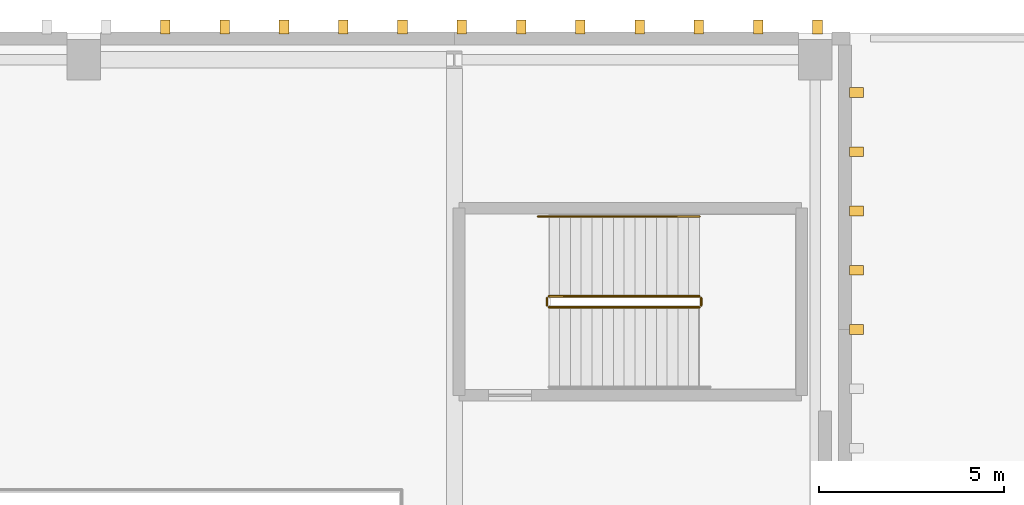
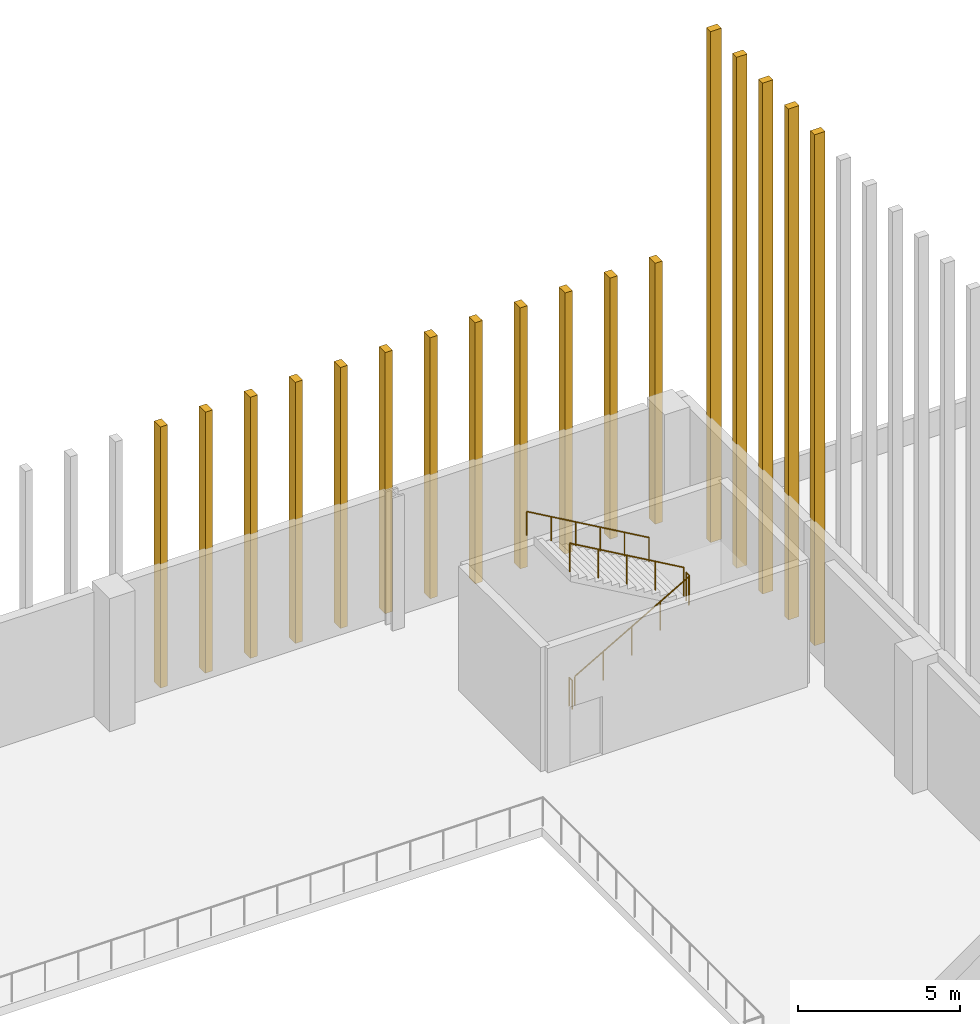
# One storey, part 58 of 60: 17 coverings, 5 railings.
"""IFC4 building model written with IfcOpenShell, lengths in metres."""

from ifc_helpers import new_model, si_unit, direction, frame, origin, origin_2d, place, context, subcontext, project, spatial, rectangle, circle, extrude, material, layer, layer_set, type_object, element, save


model = new_model("IFC4")

# Units and contexts
model_context = context("Model", 3, precision=1e-05, world=origin(), true_north=direction((0.0, 1.0)))
body_context = subcontext(model_context, "Body", "Model", "MODEL_VIEW")
ifc_project = project(units=[si_unit("LENGTHUNIT", "METRE"), si_unit("AREAUNIT", "SQUARE_METRE"), si_unit("VOLUMEUNIT", "CUBIC_METRE"), si_unit("PLANEANGLEUNIT", "RADIAN"), si_unit("MASSUNIT", "GRAM", prefix="KILO")], contexts=[model_context])

# Site, building, storey
site_placement = place(None, origin())
site = spatial("IfcSite", under=ifc_project, at=site_placement, CompositionType="ELEMENT")
building_placement = place(site_placement, origin())
building = spatial("IfcBuilding", under=site, at=building_placement, Name="Trimount Lyric Opera House", CompositionType="ELEMENT")
storey_placement = place(building_placement, frame((0.0, 0.0, 15.0)))
storey = spatial("IfcBuildingStorey", under=building, at=storey_placement, Name="L03", CompositionType="ELEMENT", Elevation=15.0)

# Coverings
ifc_material_1 = material(Name="Extruded Brushed Aluminium Vertical Shed Rib", Category="aluminium")
ifc_layer = layer(ifc_material_1, 0.260009765625)
ifc_layer_set = layer_set([ifc_layer], Name="CLD-RIB1")
covering_type = type_object("IfcCoveringType", Name="CLD-RIB1", PredefinedType="CLADDING", material=ifc_layer_set)
for number, where, z_axis, x_axis, name in (
    (1, (114.85009765625, 110.0, 0.0), (0.0, 0.0, 1.0), (1.0, 0.0, 0.0), "Fly-tower E lower vertical rib 111"),
    (2, (114.85009765625, 111.60009765625, 0.0), (0.0, 0.0, 1.0), (1.0, 0.0, 0.0), "Fly-tower E lower vertical rib 113"),
    (3, (114.85009765625, 113.199951171875, 0.0), (0.0, 0.0, 1.0), (1.0, 0.0, 0.0), "Fly-tower E lower vertical rib 115"),
    (4, (114.85009765625, 114.800048828125, 0.0), (0.0, 0.0, 1.0), (1.0, 0.0, 0.0), "Fly-tower E lower vertical rib 117"),
    (5, (114.85009765625, 116.39990234375, 0.0), (0.0, 0.0, 1.0), (1.0, 0.0, 0.0), "Fly-tower E lower vertical rib 119"),
):
    element("IfcCovering", number, at=place(storey_placement, frame(where, z_axis=z_axis, x_axis=x_axis)), inside=storey, type_object=covering_type, Name=name, PredefinedType="CLADDING", context=body_context, shape_type="SweptSolid", body=[
        extrude(rectangle(XDim=0.3798828125, YDim=0.260009765625, at=origin_2d()), origin(), (0.0, 0.0, 1.0), 19.219970703125),
    ])
for number, where, z_axis, x_axis, name in (
    (6, (96.199951171875, 118.1650390625, 0.0), (0.0, 0.0, 1.0), (1.0, 0.0, 0.0), "Fly-tower north vertical cladding rib 224"),
    (7, (97.800048828125, 118.1650390625, 0.0), (0.0, 0.0, 1.0), (1.0, 0.0, 0.0), "Fly-tower north vertical cladding rib 229"),
    (8, (99.39990234375, 118.1650390625, 0.0), (0.0, 0.0, 1.0), (1.0, 0.0, 0.0), "Fly-tower north vertical cladding rib 234"),
    (9, (101.0, 118.1650390625, 0.0), (0.0, 0.0, 1.0), (1.0, 0.0, 0.0), "Fly-tower north vertical cladding rib 239"),
    (10, (102.60009765625, 118.1650390625, 0.0), (0.0, 0.0, 1.0), (1.0, 0.0, 0.0), "Fly-tower north vertical cladding rib 244"),
    (11, (104.199951171875, 118.1650390625, 0.0), (0.0, 0.0, 1.0), (1.0, 0.0, 0.0), "Fly-tower north vertical cladding rib 249"),
    (12, (105.800048828125, 118.1650390625, 0.0), (0.0, 0.0, 1.0), (1.0, 0.0, 0.0), "Fly-tower north vertical cladding rib 254"),
    (13, (107.39990234375, 118.1650390625, 0.0), (0.0, 0.0, 1.0), (1.0, 0.0, 0.0), "Fly-tower north vertical cladding rib 259"),
    (14, (109.0, 118.1650390625, 0.0), (0.0, 0.0, 1.0), (1.0, 0.0, 0.0), "Fly-tower north vertical cladding rib 264"),
    (15, (110.60009765625, 118.1650390625, 0.0), (0.0, 0.0, 1.0), (1.0, 0.0, 0.0), "Fly-tower north vertical cladding rib 269"),
    (16, (112.199951171875, 118.1650390625, 0.0), (0.0, 0.0, 1.0), (1.0, 0.0, 0.0), "Fly-tower north vertical cladding rib 274"),
    (17, (113.800048828125, 118.1650390625, 0.0), (0.0, 0.0, 1.0), (1.0, 0.0, 0.0), "Fly-tower north vertical cladding rib 279"),
):
    element("IfcCovering", number, at=place(storey_placement, frame(where, z_axis=z_axis, x_axis=x_axis)), inside=storey, type_object=covering_type, Name=name, PredefinedType="CLADDING", context=body_context, shape_type="SweptSolid", body=[
        extrude(rectangle(XDim=0.260009765625, YDim=0.3798828125, at=origin_2d()), origin(), (0.0, 0.0, 1.0), 9.820068359375),
    ])

# Railings
ifc_material_2 = material(Name="Brushed Stainless Steel 316", Category="steel")
railing_type_1 = type_object("IfcRailingType", Name="RL-GRD110", PredefinedType="GUARDRAIL", material=ifc_material_2)
railing_1_placement = place(storey_placement, frame((106.550048828125, 110.60009765625, 0.166748046875)))
element("IfcRailing", 18, at=railing_1_placement, inside=storey, type_object=railing_type_1, Name="L03 ST-02 stair guard 1", PredefinedType="GUARDRAIL", context=body_context, shape_type="SweptSolid", body=[
    extrude(circle(Radius=0.02392578125, at=origin_2d()), frame((0.0, 0.0, 1.076171875), z_axis=(0.867024558463, 0.0, 0.498265406207), x_axis=(0.0, 1.0, 0.0)), (0.0, 0.0, 1.0), 4.682861328125),
    extrude(circle(Radius=0.02099609375, at=origin_2d()), origin(), (0.0, 0.0, 1.0), 1.052001953125),
    extrude(circle(Radius=0.02099609375, at=origin_2d()), frame((1.01513671875, 0.0, 0.583251953125)), (0.0, 0.0, 1.0), 1.052001953125),
    extrude(circle(Radius=0.02099609375, at=origin_2d()), frame((2.030029296875, 0.0, 1.16650390625)), (0.0, 0.0, 1.0), 1.052001953125),
    extrude(circle(Radius=0.02099609375, at=origin_2d()), frame((3.044921875, 0.0, 1.75)), (0.0, 0.0, 1.0), 1.052001953125),
    extrude(circle(Radius=0.02099609375, at=origin_2d()), frame((4.06005859375, 0.0, 2.333251953125)), (0.0, 0.0, 1.0), 1.052001953125),
])
railing_2_placement = place(storey_placement, frame((110.659912109375, 110.64990234375, 2.5)))
element("IfcRailing", 19, at=railing_2_placement, inside=storey, type_object=railing_type_1, Name="L03 ST-02 stair guard 2", PredefinedType="GUARDRAIL", context=body_context, shape_type="SweptSolid", body=[
    extrude(circle(Radius=0.02392578125, at=origin_2d()), frame((0.0, 0.0, 1.076171875), z_axis=(0.0, 1.0, 0.0), x_axis=(-1.0, 0.0, 0.0)), (0.0, 0.0, 1.0), 0.2001953125),
    extrude(circle(Radius=0.02099609375, at=origin_2d()), origin(), (0.0, 0.0, 1.0), 1.052001953125),
    extrude(circle(Radius=0.02099609375, at=origin_2d()), frame((0.0, 0.2001953125, 0.0)), (0.0, 0.0, 1.0), 1.052001953125),
])
railing_3_placement = place(storey_placement, frame((110.610107421875, 110.89990234375, 2.666748046875)))
element("IfcRailing", 20, at=railing_3_placement, inside=storey, type_object=railing_type_1, Name="L03 ST-02 stair guard 3", PredefinedType="GUARDRAIL", context=body_context, shape_type="SweptSolid", body=[
    extrude(circle(Radius=0.02392578125, at=origin_2d()), frame((0.0, 0.0, 1.076171875), z_axis=(-0.867024558463, 0.0, 0.498265406207), x_axis=(0.0, -1.0, 0.0)), (0.0, 0.0, 1.0), 4.682861328125),
    extrude(circle(Radius=0.02099609375, at=origin_2d()), origin(), (0.0, 0.0, 1.0), 1.052001953125),
    extrude(circle(Radius=0.02099609375, at=origin_2d()), frame((-1.01513671875, 0.0, 0.583251953125)), (0.0, 0.0, 1.0), 1.052001953125),
    extrude(circle(Radius=0.02099609375, at=origin_2d()), frame((-2.030029296875, 0.0, 1.16650390625)), (0.0, 0.0, 1.0), 1.052001953125),
    extrude(circle(Radius=0.02099609375, at=origin_2d()), frame((-3.044921875, 0.0, 1.75)), (0.0, 0.0, 1.0), 1.052001953125),
    extrude(circle(Radius=0.02099609375, at=origin_2d()), frame((-4.06005859375, 0.0, 2.333251953125)), (0.0, 0.0, 1.0), 1.052001953125),
])
railing_4_placement = place(storey_placement, frame((106.5, 110.64990234375, 0.0)))
element("IfcRailing", 21, at=railing_4_placement, inside=storey, type_object=railing_type_1, Name="L03 ST-02 stair guard 4", PredefinedType="GUARDRAIL", context=body_context, shape_type="SweptSolid", body=[
    extrude(circle(Radius=0.02392578125, at=origin_2d()), frame((0.0, 0.0, 1.076171875), z_axis=(0.0, 1.0, 0.0), x_axis=(-1.0, 0.0, 0.0)), (0.0, 0.0, 1.0), 0.2001953125),
    extrude(circle(Radius=0.02099609375, at=origin_2d()), origin(), (0.0, 0.0, 1.0), 1.052001953125),
    extrude(circle(Radius=0.02099609375, at=origin_2d()), frame((0.0, 0.2001953125, 0.0)), (0.0, 0.0, 1.0), 1.052001953125),
])
ifc_material_3 = material(Name="Brushed Stainless Steel 316", Category="steel")
railing_type_2 = type_object("IfcRailingType", Name="RL-HND092", PredefinedType="HANDRAIL", material=ifc_material_3)
railing_5_placement = place(storey_placement, frame((110.610107421875, 113.050048828125, 2.666748046875)))
element("IfcRailing", 22, at=railing_5_placement, inside=storey, type_object=railing_type_2, Name="L03 ST-02 stair handrail 2", PredefinedType="HANDRAIL", context=body_context, shape_type="SweptSolid", body=[
    extrude(circle(Radius=0.0224609375, at=origin_2d()), frame((0.0, 0.0, 0.8974609375), z_axis=(-0.866766478692, 0.0, 0.498714218181), x_axis=(0.0, -1.0, 0.0)), (0.0, 0.0, 1.0), 5.018798828125),
    extrude(circle(Radius=0.02099609375, at=origin_2d()), origin(), (0.0, 0.0, 1.0), 0.875),
    extrude(circle(Radius=0.02099609375, at=origin_2d()), frame((-0.8701171875, 0.0, 0.50048828125)), (0.0, 0.0, 1.0), 0.875),
    extrude(circle(Radius=0.02099609375, at=origin_2d()), frame((-1.739990234375, 0.0, 1.001220703125)), (0.0, 0.0, 1.0), 0.875),
    extrude(circle(Radius=0.02099609375, at=origin_2d()), frame((-2.610107421875, 0.0, 1.501708984375)), (0.0, 0.0, 1.0), 0.875),
    extrude(circle(Radius=0.02099609375, at=origin_2d()), frame((-3.47998046875, 0.0, 2.00244140625)), (0.0, 0.0, 1.0), 0.875),
    extrude(circle(Radius=0.02099609375, at=origin_2d()), frame((-4.35009765625, 0.0, 2.5029296875)), (0.0, 0.0, 1.0), 0.875),
])

save(model, "model.ifc")
